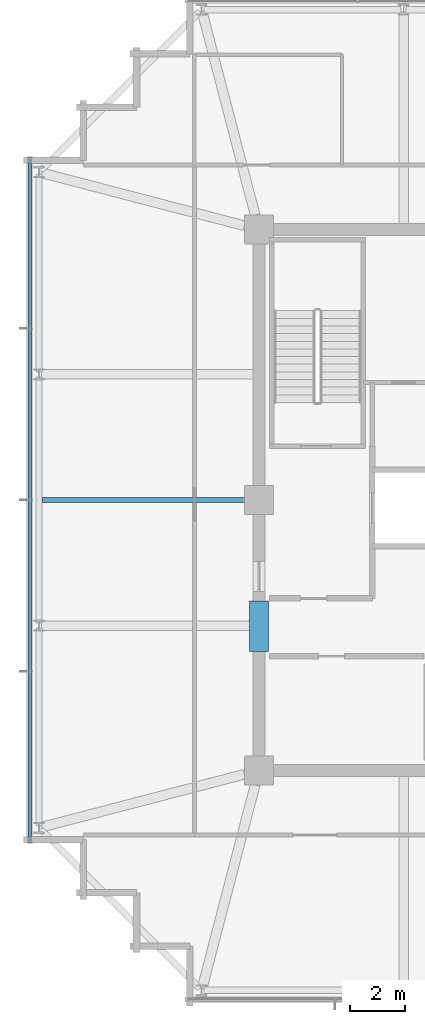
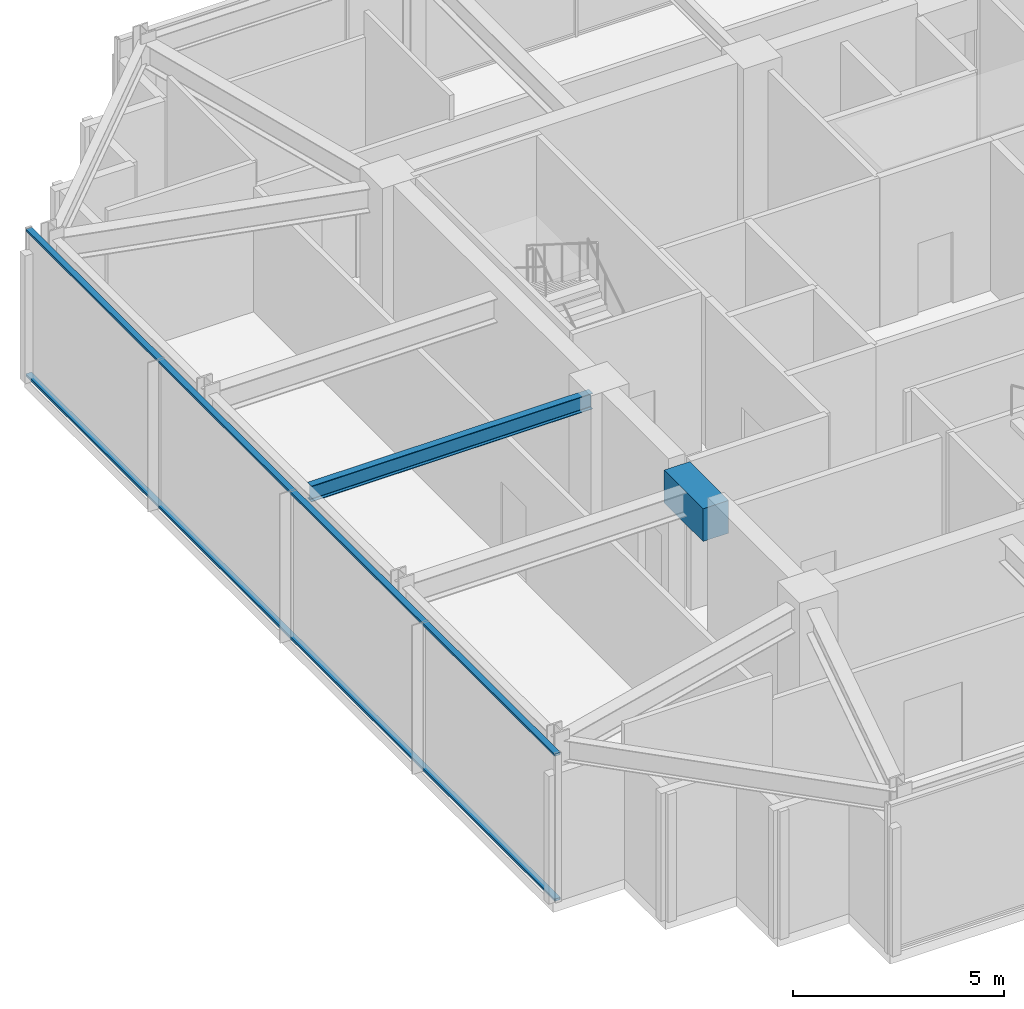
# One storey, part 8 of 30: 2 beams, 2 members, 1 element without a shape of its own.
"""IFC4 building model written with IfcOpenShell, lengths in metres."""

import ifcopenshell
import ifcopenshell.guid

model = None  # the IFC model being written
_history = None  # IfcOwnerHistory: only IFC2X3 demands one
_inside = {}  # id of a spatial element -> (the spatial element, [elements in it])
_under = {}  # id of a project, library or spatial element -> (it, [spatial elements below it])
_declared = {}  # id of a project -> (the project, [libraries it declares])
_typed = {}  # id of a type object -> (the type object, [elements of that type])
_made_of = {}  # id of a material, layer set ... -> (it, [elements and type objects made of it])


def new_model(schema):
    """Start an empty IFC model of exactly this schema.

    Asked for "IFC4X3", IfcOpenShell would pick the latest addendum, in which some entities
    have other attributes; the version numbers below select the first issue.
    IFC2X3 requires an IfcOwnerHistory on every rooted entity: one is made here for all.
    """
    global model, _history
    if schema == "IFC4X3":
        model = ifcopenshell.file(schema_version=(4, 3, 0, 0))
    else:
        model = ifcopenshell.file(schema=schema)
    _inside.clear()
    _under.clear()
    _declared.clear()
    _typed.clear()
    _made_of.clear()
    _history = None
    if model.schema == "IFC2X3":
        org = make("IfcOrganization", Name="unknown")
        user = make(
            "IfcPersonAndOrganization",
            ThePerson=make("IfcPerson", FamilyName="unknown"),
            TheOrganization=org,
        )
        app = make(
            "IfcApplication",
            ApplicationDeveloper=org,
            Version="unknown",
            ApplicationFullName="unknown",
            ApplicationIdentifier="unknown",
        )
        _history = make(
            "IfcOwnerHistory",
            OwningUser=user,
            OwningApplication=app,
            ChangeAction="ADDED",
            CreationDate=0,
        )
    return model


def make(cls, **values):
    """One entity of the class cls with the attributes given. An attribute that is None is left unset."""
    return model.create_entity(
        cls, **{name: value for name, value in values.items() if value is not None}
    )


def rooted(cls, **values):
    """An entity with a GlobalId (a new one), such as an element, a storey or a relation."""
    return make(cls, GlobalId=ifcopenshell.guid.new(), OwnerHistory=_history, **values)


def si_unit(unit_type, name, prefix=None):
    """IfcSIUnit, for example si_unit("LENGTHUNIT", "METRE", prefix="MILLI")."""
    return make("IfcSIUnit", UnitType=unit_type, Prefix=prefix, Name=name)


def assignment(units):
    """IfcUnitAssignment: the units of a project."""
    return None if units is None else make("IfcUnitAssignment", Units=units)


def point(xyz):
    """IfcCartesianPoint."""
    return None if xyz is None else make("IfcCartesianPoint", Coordinates=xyz)


def direction(xyz):
    """IfcDirection."""
    return None if xyz is None else make("IfcDirection", DirectionRatios=xyz)


def frame(location, z_axis=None, x_axis=None):
    """IfcAxis2Placement3D, a coordinate frame: its origin and axes. An axis left out is left unset."""
    return make(
        "IfcAxis2Placement3D",
        Location=point(location),
        Axis=direction(z_axis),
        RefDirection=direction(x_axis),
    )


def frame_2d(location, x_axis=None):
    """IfcAxis2Placement2D, a coordinate frame in the plane: its origin and x axis."""
    return make(
        "IfcAxis2Placement2D", Location=point(location), RefDirection=direction(x_axis)
    )


def origin():
    """The frame at (0, 0, 0) with its axes left unset."""
    return frame((0.0, 0.0, 0.0))


def origin_2d():
    """The frame at (0, 0) in the plane with its x axis left unset."""
    return frame_2d((0.0, 0.0))


def place(relative_to, where):
    """IfcLocalPlacement: puts the frame where relative to a parent placement (None: the world)."""
    return make(
        "IfcLocalPlacement", PlacementRelTo=relative_to, RelativePlacement=where
    )


def context(
    kind, dimensions, precision=None, world=None, true_north=None, identifier=None
):
    """IfcGeometricRepresentationContext, for example the 3D "Model" context."""
    return make(
        "IfcGeometricRepresentationContext",
        ContextIdentifier=identifier,
        ContextType=kind,
        CoordinateSpaceDimension=dimensions,
        Precision=precision,
        WorldCoordinateSystem=world,
        TrueNorth=true_north,
    )


def subcontext(parent, identifier, kind, view, scale=None):
    """IfcGeometricRepresentationSubContext, for example "Body" below "Model"."""
    return make(
        "IfcGeometricRepresentationSubContext",
        ContextIdentifier=identifier,
        ContextType=kind,
        ParentContext=parent,
        TargetScale=scale,
        TargetView=view,
    )


def project(units=None, contexts=None):
    """IfcProject with its units and contexts."""
    return rooted(
        "IfcProject",
        Name="project",
        RepresentationContexts=contexts,
        UnitsInContext=assignment(units),
    )


def spatial(cls, under=None, at=None, **own):
    """A site, building, storey or space (cls), placed at a placement, below another one or the project."""
    s = rooted(cls, ObjectPlacement=at, **own)
    if under is not None:
        _under.setdefault(under.id(), (under, []))[1].append(s)
    return s


def profile(cls, at=None, kind="AREA", **sizes):
    """A parametric profile (cls). Its sizes go by their IFC names, for example OverallWidth=200.0."""
    return make(cls, ProfileType=kind, Position=at, **sizes)


def rectangle(**sizes):
    """IfcRectangleProfileDef."""
    return profile("IfcRectangleProfileDef", **sizes)


def hollow_rectangle(**sizes):
    """IfcRectangleHollowProfileDef."""
    return profile("IfcRectangleHollowProfileDef", **sizes)


def i_section(**sizes):
    """IfcIShapeProfileDef."""
    return profile("IfcIShapeProfileDef", **sizes)


def extrude(swept, where, along, depth):
    """IfcExtrudedAreaSolid: the profile swept, set in the frame where, extruded along a direction by depth."""
    return make(
        "IfcExtrudedAreaSolid",
        SweptArea=swept,
        Position=where,
        ExtrudedDirection=direction(along),
        Depth=depth,
    )


def shape(context_of_items, identifier, shape_type, items):
    """IfcShapeRepresentation: the items that make up one representation, for example the "Body"."""
    return make(
        "IfcShapeRepresentation",
        ContextOfItems=context_of_items,
        RepresentationIdentifier=identifier,
        RepresentationType=shape_type,
        Items=items,
    )


def material(Name=None, Category=None):
    """IfcMaterial."""
    return make("IfcMaterial", Name=Name, Category=Category)


def material_profile(
    of_material, cross_section, Name=None, Category=None, Priority=None
):
    """IfcMaterialProfile: a cross section and its material."""
    return make(
        "IfcMaterialProfile",
        Name=Name,
        Material=of_material,
        Profile=cross_section,
        Priority=Priority,
        Category=Category,
    )


def profile_set(profiles, Name=None, composite=None):
    """IfcMaterialProfileSet."""
    return make(
        "IfcMaterialProfileSet",
        Name=Name,
        MaterialProfiles=profiles,
        CompositeProfile=composite,
    )


def made_of(thing, what):
    """Note that an element or type object is made of a material, layer set ...; save() writes the relation."""
    if what is not None:
        _made_of.setdefault(what.id(), (what, []))[1].append(thing)
    return thing


def type_object(cls, material=None, **own):
    """A type object (cls), such as IfcWallType, which elements share."""
    return made_of(rooted(cls, **own), material)


def element(
    cls,
    number,
    at=None,
    inside=None,
    cuts=None,
    type_object=None,
    material=None,
    context=None,
    identifier="Body",
    shape_type=None,
    held_by="IfcProductDefinitionShape",
    body=None,
    shapes=None,
    **own,
):
    """One element of the class cls, such as IfcWall. Its Tag is "e" and its number.

    at: its placement. inside: the storey or other place that contains it. cuts: it is an
    opening in that element (IfcRelVoidsElement). A single representation is given by context,
    identifier, shape_type and body (its items); several are given by shapes. held_by: the class
    of the entity that holds the representations. save() writes the other relations.
    """
    e = rooted(cls, Tag="e%d" % number, ObjectPlacement=at, **own)
    if body is not None:
        shapes = [shape(context, identifier, shape_type, body)]
    if shapes is not None:
        e.Representation = make(held_by, Representations=shapes)
    if inside is not None:
        _inside.setdefault(inside.id(), (inside, []))[1].append(e)
    if cuts is not None:
        rooted(
            "IfcRelVoidsElement", RelatingBuildingElement=cuts, RelatedOpeningElement=e
        )
    if type_object is not None:
        _typed.setdefault(type_object.id(), (type_object, []))[1].append(e)
    return made_of(e, material)


def aggregate(whole, parts):
    """IfcRelAggregates: a whole, such as a stair, and the parts it consists of."""
    return rooted("IfcRelAggregates", RelatingObject=whole, RelatedObjects=parts)


def save(model, path):
    """Write the relations noted so far, then the file.

    IfcRelAggregates (storeys below a building ...), IfcRelContainedInSpatialStructure (elements
    in a storey), IfcRelDefinesByType, IfcRelAssociatesMaterial and IfcRelDeclares: one each for
    every whole, place, type object, material and project.
    """
    for whole, parts in _under.values():
        aggregate(whole, parts)
    for where, things in _inside.values():
        rooted(
            "IfcRelContainedInSpatialStructure",
            RelatedElements=things,
            RelatingStructure=where,
        )
    for kind, things in _typed.values():
        rooted("IfcRelDefinesByType", RelatedObjects=things, RelatingType=kind)
    for what, things in _made_of.values():
        rooted("IfcRelAssociatesMaterial", RelatedObjects=things, RelatingMaterial=what)
    for by, libraries in _declared.values():
        rooted("IfcRelDeclares", RelatingContext=by, RelatedDefinitions=libraries)
    model.write(path)


model = new_model("IFC4")

# Units and contexts
model_context = context("Model", 3, precision=1e-05, world=origin(), true_north=direction((0.0, 1.0)))
body_context = subcontext(model_context, "Body", "Model", "MODEL_VIEW")
ifc_project = project(units=[si_unit("LENGTHUNIT", "METRE"), si_unit("AREAUNIT", "SQUARE_METRE"), si_unit("VOLUMEUNIT", "CUBIC_METRE"), si_unit("PLANEANGLEUNIT", "RADIAN"), si_unit("MASSUNIT", "GRAM", prefix="KILO")], contexts=[model_context])

# Site, building, storey
site_placement = place(None, origin())
site = spatial("IfcSite", under=ifc_project, at=site_placement, CompositionType="ELEMENT")
building_placement = place(site_placement, origin())
building = spatial("IfcBuilding", under=site, at=building_placement, Name="Kolvaren Belvedere", CompositionType="ELEMENT")
storey_placement = place(building_placement, frame((0.0, 0.0, 262.800048828125)))
storey = spatial("IfcBuildingStorey", under=building, at=storey_placement, Name="L76", CompositionType="ELEMENT", Elevation=262.800048828125)

# Beams
ifc_material_1 = material(Name="Structural steel ASTM A992 Grade 50", Category="steel")
ifc_material_profile_1 = material_profile(ifc_material_1, i_section(OverallWidth=0.19091796875, OverallDepth=0.4599609375, WebThickness=0.010009765625, FlangeThickness=0.01611328125, FilletRadius=0.014892578125, at=origin_2d()), Name="W18X55")
ifc_profile_set_1 = profile_set([ifc_material_profile_1], Name="Structural steel ASTM A992 Grade 50")
beam_type_1 = type_object("IfcBeamType", Name="BM-JOIST-W18X55", PredefinedType="BEAM", material=ifc_profile_set_1)
beam_1_placement = place(storey_placement, frame((-10.125, 0.0, 4.08984375), z_axis=(-1.0, 0.0, 0.0), x_axis=(0.0, -1.0, 0.0)))
element("IfcBeam", 1, at=beam_1_placement, inside=storey, type_object=beam_type_1, Name="L76 West Centre Floor Beam", PredefinedType="BEAM", context=body_context, shape_type="SweptSolid", body=[
    extrude(i_section(OverallWidth=0.19091796875, OverallDepth=0.4599609375, WebThickness=0.010009765625, FlangeThickness=0.01611328125, FilletRadius=0.014892578125, at=origin_2d()), origin(), (0.0, 0.0, 1.0), 7.71044921875),
])
ifc_material_2 = material(Name="Concrete C60/75", Category="concrete")
ifc_material_profile_2 = material_profile(ifc_material_2, rectangle(XDim=0.699951171875, YDim=0.949951171875, at=origin_2d()), Name="RC 700X950")
ifc_profile_set_2 = profile_set([ifc_material_profile_2], Name="Concrete C60/75")
beam_type_2 = type_object("IfcBeamType", Name="BM-LINT-950", PredefinedType="LINTEL", material=ifc_profile_set_2)
beam_2_placement = place(storey_placement, frame((-9.89990234375, -5.550048828125, 3.844970703125), z_axis=(0.0, 1.0, 0.0), x_axis=(-1.0, 0.0, 0.0)))
element("IfcBeam", 2, at=beam_2_placement, inside=storey, type_object=beam_type_2, Name="L76 West Core Coupling Lintel", PredefinedType="LINTEL", context=body_context, shape_type="SweptSolid", body=[
    extrude(rectangle(XDim=0.699951171875, YDim=0.949951171875, at=origin_2d()), origin(), (0.0, 0.0, 1.0), 1.85009765625),
])

# Curtain wall, members
ifc_material_3 = material(Name="Anodised pale-metal aluminium AA 6063-T6", Category="aluminium")
curtain_wall_type = type_object("IfcCurtainWallType", Name="CW-CRN-OBS", PredefinedType="NOTDEFINED", material=ifc_material_3)
curtain_wall_placement = place(storey_placement, origin())
curtain_wall = element("IfcCurtainWall", 3, at=curtain_wall_placement, inside=storey, type_object=curtain_wall_type, Name="L76 Unitised Curtain Wall FCW-L76-W", PredefinedType="NOTDEFINED")
ifc_material_4 = material(Name="Anodised pale-metal aluminium AA 6063-T6", Category="aluminium")
ifc_material_profile_3 = material_profile(ifc_material_4, hollow_rectangle(XDim=0.06494140625, YDim=0.159912109375, WallThickness=0.00390625, at=origin_2d()), Name="ALU-TRN-160X65")
ifc_profile_set_3 = profile_set([ifc_material_profile_3], Name="Anodised pale-metal aluminium AA 6063-T6")
member_type = type_object("IfcMemberType", Name="CW-TRN-160", PredefinedType="USERDEFINED", material=ifc_profile_set_3)
member_1_placement = place(storey_placement, frame((-18.280029296875, -12.550048828125, 0.06005859375), z_axis=(0.0, 1.0, 0.0), x_axis=(0.0, 0.0, 1.0)))
member_1 = element("IfcMember", 4, at=member_1_placement, type_object=member_type, Name="FCW-L76-W Sill Transom", ObjectType="TRANSOM", PredefinedType="USERDEFINED", context=body_context, shape_type="SweptSolid", body=[
    extrude(hollow_rectangle(XDim=0.06494140625, YDim=0.159912109375, WallThickness=0.00390625, at=origin_2d()), origin(), (0.0, 0.0, 1.0), 25.10009765625),
])
member_2_placement = place(storey_placement, frame((-18.280029296875, -12.550048828125, 4.260009765625), z_axis=(0.0, 1.0, 0.0), x_axis=(0.0, 0.0, 1.0)))
member_2 = element("IfcMember", 5, at=member_2_placement, type_object=member_type, Name="FCW-L76-W Head Transom", ObjectType="TRANSOM", PredefinedType="USERDEFINED", context=body_context, shape_type="SweptSolid", body=[
    extrude(hollow_rectangle(XDim=0.06494140625, YDim=0.159912109375, WallThickness=0.00390625, at=origin_2d()), origin(), (0.0, 0.0, 1.0), 25.10009765625),
])
aggregate(curtain_wall, [member_1, member_2])

save(model, "model.ifc")
